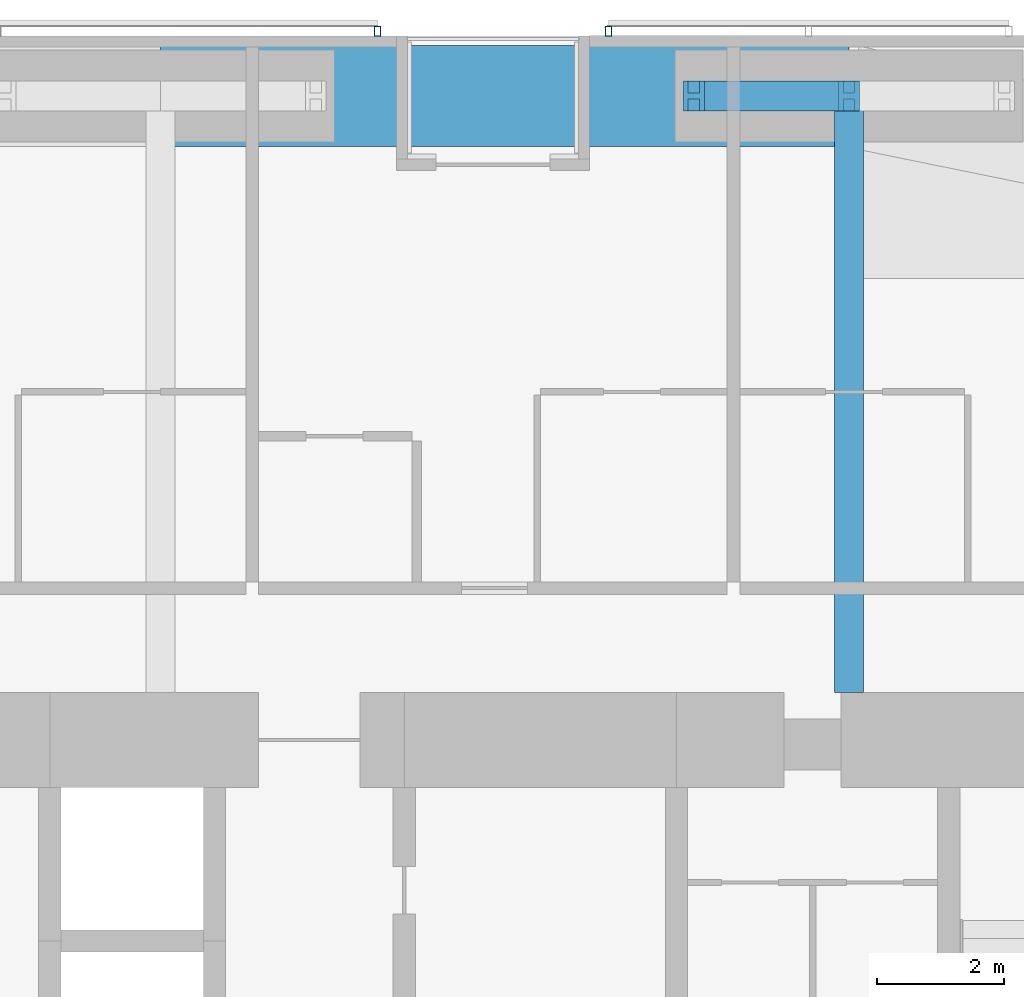
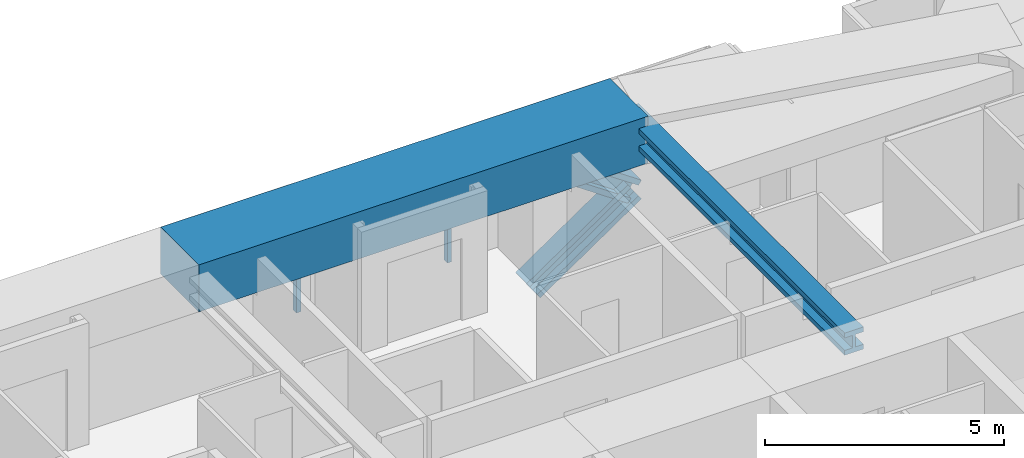
# One storey, part 14 of 25: 4 members, 2 beams, 2 elements without a shape of their own.
"""IFC4 building model written with IfcOpenShell, lengths in metres."""

from ifc_helpers import new_model, si_unit, direction, frame, origin, origin_2d, place, context, subcontext, project, spatial, rectangle, hollow_rectangle, i_section, extrude, material, material_profile, profile_set, type_object, element, aggregate, save


model = new_model("IFC4")

# Units and contexts
model_context = context("Model", 3, precision=1e-05, world=origin(), true_north=direction((0.0, 1.0)))
body_context = subcontext(model_context, "Body", "Model", "MODEL_VIEW")
ifc_project = project(units=[si_unit("LENGTHUNIT", "METRE"), si_unit("AREAUNIT", "SQUARE_METRE"), si_unit("VOLUMEUNIT", "CUBIC_METRE"), si_unit("PLANEANGLEUNIT", "RADIAN"), si_unit("MASSUNIT", "GRAM", prefix="KILO")], contexts=[model_context])

# Site, building, storey
site_placement = place(None, origin())
site = spatial("IfcSite", under=ifc_project, at=site_placement, CompositionType="ELEMENT")
building_placement = place(site_placement, origin())
building = spatial("IfcBuilding", under=site, at=building_placement, Name="Jalousie Tower", CompositionType="ELEMENT")
storey_placement = place(building_placement, frame((0.0, 0.0, 94.800048828125)))
storey = spatial("IfcBuildingStorey", under=building, at=storey_placement, Name="L25", CompositionType="ELEMENT", Elevation=94.800048828125)

# Beam
ifc_material_1 = material(Name="Steel ASTM A992 Grade 50", Category="steel")
ifc_material_profile_1 = material_profile(ifc_material_1, i_section(OverallWidth=0.45458984375, OverallDepth=0.569091796875, WebThickness=0.077880859375, FlangeThickness=0.124755859375, at=origin_2d()), Name="W14X730")
ifc_profile_set_1 = profile_set([ifc_material_profile_1], Name="Steel ASTM A992 Grade 50")
beam_type_1 = type_object("IfcBeamType", Name="LEAN COLLECTOR W14X730", PredefinedType="BEAM", material=ifc_profile_set_1)
beam_1_placement = place(storey_placement, frame((38.625, 37.050048828125, 2.825439453125), z_axis=(0.0, -1.0, 0.0), x_axis=(1.0, 0.0, 0.0)))
element("IfcBeam", 1, at=beam_1_placement, inside=storey, type_object=beam_type_1, Name="Lean collector under L26", PredefinedType="BEAM", context=body_context, shape_type="SweptSolid", body=[
    extrude(i_section(OverallWidth=0.45458984375, OverallDepth=0.569091796875, WebThickness=0.077880859375, FlangeThickness=0.124755859375, at=origin_2d()), origin(), (0.0, 0.0, 1.0), 9.425048828125),
])

# Members
ifc_material_2 = material(Name="Steel ASTM A992 Grade 50", Category="steel")
ifc_material_profile_2 = material_profile(ifc_material_2, i_section(OverallWidth=0.472412109375, OverallDepth=0.5791015625, WebThickness=0.094970703125, FlangeThickness=0.1298828125, at=origin_2d()), Name="W14X808")
ifc_profile_set_2 = profile_set([ifc_material_profile_2], Name="Steel ASTM A992 Grade 50")
member_type_1 = type_object("IfcMemberType", Name="PERIMETER BRACE W14X808", PredefinedType="BRACE", material=ifc_profile_set_2)
for number, where, z_axis, x_axis, name in (
    (2, (36.175048828125, 37.050048828125, -0.60009765625), (0.825500916831, 0.0, 0.564400776321), (0.0, 1.0, 0.0), "Perimeter brace 09 L25 part 1"),
    (3, (38.625, 37.050048828125, 1.074951171875), (-0.825500916831, 0.0, 0.564400776321), (0.0, -1.0, 0.0), "Perimeter brace 09 L25 part 4"),
):
    element("IfcMember", number, at=place(storey_placement, frame(where, z_axis=z_axis, x_axis=x_axis)), inside=storey, type_object=member_type_1, Name=name, PredefinedType="BRACE", context=body_context, shape_type="SweptSolid", body=[
        extrude(i_section(OverallWidth=0.472412109375, OverallDepth=0.5791015625, WebThickness=0.094970703125, FlangeThickness=0.1298828125, at=origin_2d()), origin(), (0.0, 0.0, 1.0), 2.9677734375),
    ])

# Beam
ifc_material_3 = material(Name="Concrete f'c 40 MPa", Category="concrete")
ifc_material_profile_3 = material_profile(ifc_material_3, rectangle(XDim=1.60009765625, YDim=1.199951171875, at=origin_2d()), Name="RC 1600x1200")
ifc_profile_set_3 = profile_set([ifc_material_profile_3], Name="Concrete f'c 40 MPa")
beam_type_2 = type_object("IfcBeamType", Name="RC BEAM 1600x1200", PredefinedType="BEAM", material=ifc_profile_set_3)
beam_2_placement = place(storey_placement, frame((38.625, 37.050048828125, 2.75), z_axis=(-1.0, 0.0, 0.0), x_axis=(0.0, -1.0, 0.0)))
element("IfcBeam", 4, at=beam_2_placement, inside=storey, type_object=beam_type_2, Name="Edge band beam 09-10 under L26", PredefinedType="BEAM", context=body_context, shape_type="SweptSolid", body=[
    extrude(rectangle(XDim=1.60009765625, YDim=1.199951171875, at=origin_2d()), origin(), (0.0, 0.0, 1.0), 10.875),
])

# Curtain wall, member
ifc_material_4 = material(Name="Perforated aluminium sheet", Category="aluminium")
curtain_wall_type = type_object("IfcCurtainWallType", Name="SOLAR SCREEN SS-1", PredefinedType="USERDEFINED", material=ifc_material_4)
curtain_wall_1_placement = place(storey_placement, origin())
curtain_wall_1 = element("IfcCurtainWall", 5, at=curtain_wall_1_placement, inside=storey, type_object=curtain_wall_type, Name="Solar screen L25", ObjectType="SOLAR SCREEN SS-1", PredefinedType="USERDEFINED")
ifc_material_5 = material(Name="Steel ASTM A500 Grade C", Category="steel")
ifc_material_profile_4 = material_profile(ifc_material_5, hollow_rectangle(XDim=0.1015625, YDim=0.15234375, WallThickness=0.00634765625, at=origin_2d()), Name="HSS6X4X1/4")
ifc_profile_set_4 = profile_set([ifc_material_profile_4], Name="Steel ASTM A500 Grade C")
member_type_2 = type_object("IfcMemberType", Name="SOLAR SCREEN SS-1 MULLION", PredefinedType="MULLION", material=ifc_profile_set_4)
member_1_placement = place(storey_placement, frame((34.824951171875, 38.0712890625, -0.1201171875), z_axis=(0.0, 0.0, 1.0), x_axis=(-1.0, 0.0, 0.0)))
member_1 = element("IfcMember", 6, at=member_1_placement, type_object=member_type_2, Name="SS1 post 3", PredefinedType="MULLION", context=body_context, shape_type="SweptSolid", body=[
    extrude(hollow_rectangle(XDim=0.1015625, YDim=0.15234375, WallThickness=0.00634765625, at=origin_2d()), origin(), (0.0, 0.0, 1.0), 3.22998046875),
])
aggregate(curtain_wall_1, [member_1])

curtain_wall_2_placement = place(storey_placement, origin())
curtain_wall_2 = element("IfcCurtainWall", 7, at=curtain_wall_2_placement, inside=storey, type_object=curtain_wall_type, Name="Solar screen L25", ObjectType="SOLAR SCREEN SS-1", PredefinedType="USERDEFINED")
member_2_placement = place(storey_placement, frame((31.175048828125, 38.0712890625, -0.1201171875), z_axis=(0.0, 0.0, 1.0), x_axis=(-1.0, 0.0, 0.0)))
member_2 = element("IfcMember", 8, at=member_2_placement, type_object=member_type_2, Name="SS1 post 1", PredefinedType="MULLION", context=body_context, shape_type="SweptSolid", body=[
    extrude(hollow_rectangle(XDim=0.1015625, YDim=0.15234375, WallThickness=0.00634765625, at=origin_2d()), origin(), (0.0, 0.0, 1.0), 3.22998046875),
])
aggregate(curtain_wall_2, [member_2])

save(model, "model.ifc")
